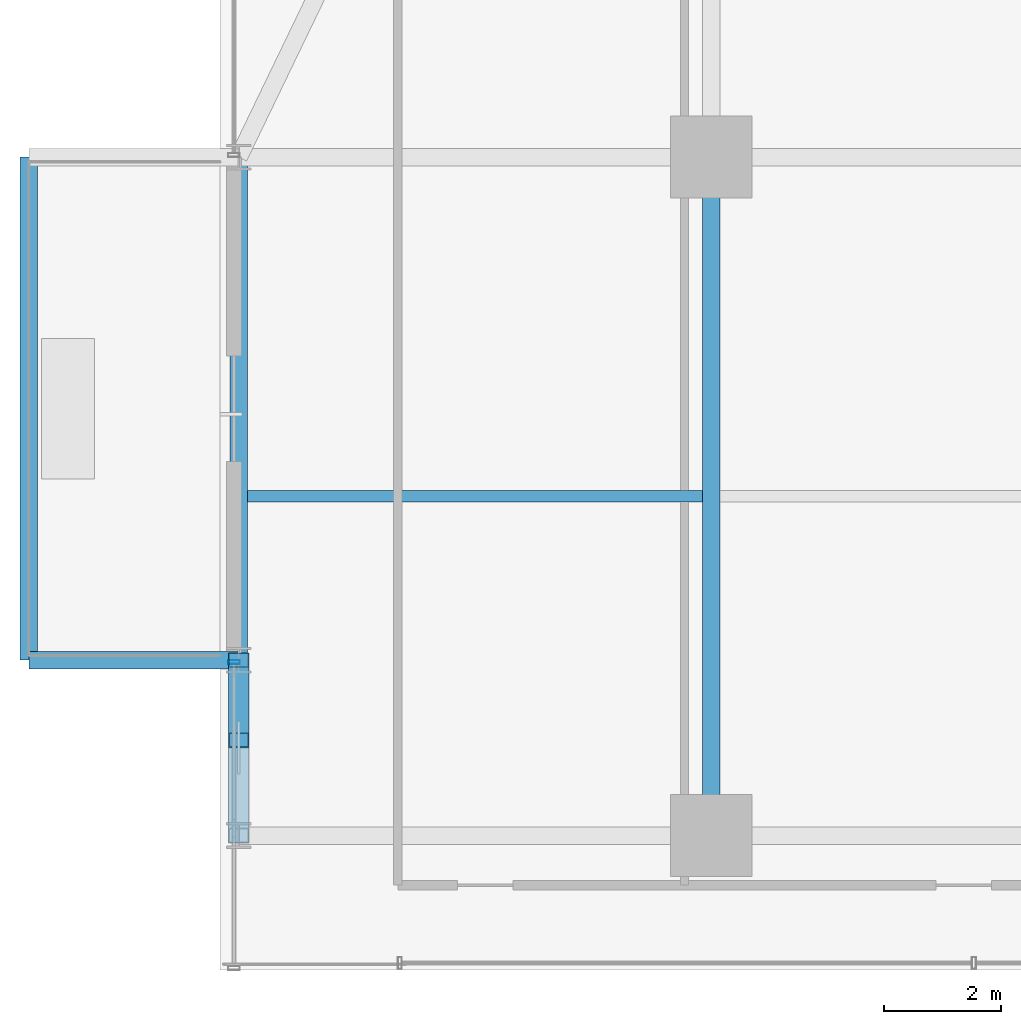
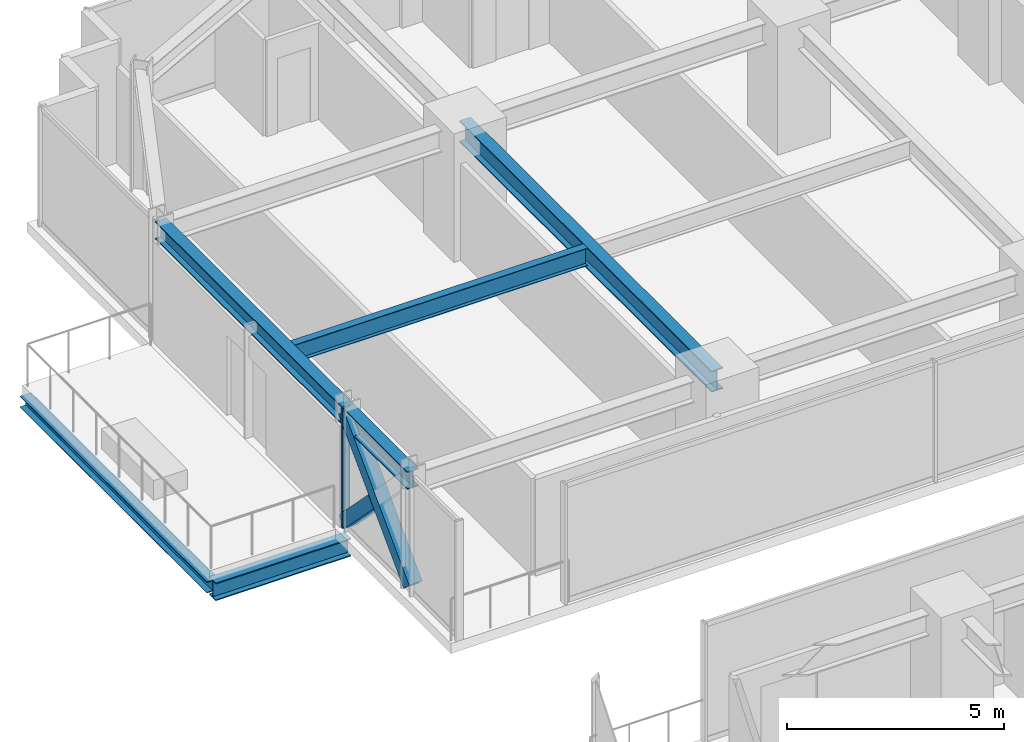
# One storey, part 24 of 42: 6 beams, 3 members, 1 element without a shape of its own.
"""IFC4 building model written with IfcOpenShell, lengths in metres."""

from ifc_helpers import new_model, si_unit, direction, frame, origin, origin_2d, place, context, subcontext, project, spatial, hollow_rectangle, i_section, extrude, source, transform, mapped, material, material_profile, profile_set, type_object, element, aggregate, save


model = new_model("IFC4")

# Units and contexts
model_context = context("Model", 3, precision=1e-05, world=origin(), true_north=direction((0.0, 1.0)))
body_context = subcontext(model_context, "Body", "Model", "MODEL_VIEW")
ifc_project = project(units=[si_unit("LENGTHUNIT", "METRE"), si_unit("AREAUNIT", "SQUARE_METRE"), si_unit("VOLUMEUNIT", "CUBIC_METRE"), si_unit("PLANEANGLEUNIT", "RADIAN"), si_unit("MASSUNIT", "GRAM", prefix="KILO")], contexts=[model_context])

# Site, building, storey
site_placement = place(None, origin())
site = spatial("IfcSite", under=ifc_project, at=site_placement, CompositionType="ELEMENT")
building_placement = place(site_placement, origin())
building = spatial("IfcBuilding", under=site, at=building_placement, Name="Nahalor Promenade Grand Hotel", CompositionType="ELEMENT")
storey_placement = place(building_placement, frame((0.0, 0.0, 61.60009765625)))
storey = spatial("IfcBuildingStorey", under=building, at=storey_placement, Name="L14", CompositionType="ELEMENT", Elevation=61.60009765625)

# Beams
ifc_material_1 = material(Name="Steel S355JR", Category="steel")
ifc_material_profile_1 = material_profile(ifc_material_1, i_section(OverallWidth=0.3, OverallDepth=0.32, WebThickness=0.0115, FlangeThickness=0.0205, at=origin_2d()), Name="HEB 320")
ifc_profile_set_1 = profile_set([ifc_material_profile_1], Name="Steel S355JR")
beam_type_1 = type_object("IfcBeamType", Name="Beam-BalcEdge-HEB320", PredefinedType="SPANDREL", material=ifc_profile_set_1)
shared_shape_1 = source(origin(), body_context, "Body", "SweptSolid", [
    extrude(i_section(OverallWidth=0.3, OverallDepth=0.32, WebThickness=0.0115, FlangeThickness=0.0205, at=origin_2d()), origin(), (0.0, 0.0, 1.0), 8.60009765625),
])
beam_1_placement = place(storey_placement, frame((-28.669921875, 8.39990234375, -0.440185546875), z_axis=(0.0, 1.0, 0.0), x_axis=(-1.0, 0.0, 0.0)))
element("IfcBeam", 1, at=beam_1_placement, inside=storey, type_object=beam_type_1, Name="BM-L14-BC-02-F", PredefinedType="SPANDREL", context=body_context, shape_type="MappedRepresentation", body=[
    mapped(shared_shape_1, transform((0.0, 0.0, 0.0), scale=1.0)),
])
ifc_material_profile_2 = material_profile(ifc_material_1, i_section(OverallWidth=0.3, OverallDepth=0.5, WebThickness=0.0145, FlangeThickness=0.028, at=origin_2d()), Name="HEB 500")
ifc_profile_set_2 = profile_set([ifc_material_profile_2], Name="Steel S355JR")
beam_type_2 = type_object("IfcBeamType", Name="Beam-Outrigger-HEB500", PredefinedType="BEAM", material=ifc_profile_set_2)
shared_shape_2 = source(origin(), body_context, "Body", "SweptSolid", [
    extrude(i_section(OverallWidth=0.3, OverallDepth=0.5, WebThickness=0.0145, FlangeThickness=0.028, at=origin_2d()), origin(), (0.0, 0.0, 1.0), 3.58984375),
])
beam_2_placement = place(storey_placement, frame((-28.669921875, 8.39990234375, -0.530029296875), z_axis=(1.0, 0.0, 0.0), x_axis=(0.0, 1.0, 0.0)))
element("IfcBeam", 2, at=beam_2_placement, inside=storey, type_object=beam_type_2, Name="BM-L14-BC-02-1", PredefinedType="BEAM", context=body_context, shape_type="MappedRepresentation", body=[
    mapped(shared_shape_2, transform((0.0, 0.0, 0.0), scale=1.0)),
])
ifc_material_profile_3 = material_profile(ifc_material_1, i_section(OverallWidth=0.3, OverallDepth=0.6, WebThickness=0.0155, FlangeThickness=0.03, at=origin_2d()), Name="HEB 600")
ifc_profile_set_3 = profile_set([ifc_material_profile_3], Name="Steel S355JR")
beam_type_3 = type_object("IfcBeamType", Name="Beam-Girder-HEB600", PredefinedType="BEAM", material=ifc_profile_set_3)
shared_shape_3 = source(origin(), body_context, "Body", "SweptSolid", [
    extrude(i_section(OverallWidth=0.3, OverallDepth=0.6, WebThickness=0.0155, FlangeThickness=0.03, at=origin_2d()), origin(), (0.0, 0.0, 1.0), 11.60009765625),
])
beam_3_placement = place(storey_placement, frame((-17.0, 5.39990234375, 3.06982421875), z_axis=(0.0, 1.0, 0.0), x_axis=(-1.0, 0.0, 0.0)))
element("IfcBeam", 3, at=beam_3_placement, inside=storey, type_object=beam_type_3, Name="BM-L14-GY-0-3", PredefinedType="BEAM", context=body_context, shape_type="MappedRepresentation", body=[
    mapped(shared_shape_3, transform((0.0, 0.0, 0.0), scale=1.0)),
])
ifc_material_profile_4 = material_profile(ifc_material_1, i_section(OverallWidth=0.3, OverallDepth=0.5, WebThickness=0.0145, FlangeThickness=0.028, at=origin_2d()), Name="HEB 500")
ifc_profile_set_4 = profile_set([ifc_material_profile_4], Name="Steel S355JR")
beam_type_4 = type_object("IfcBeamType", Name="Beam-Spandrel-HEB500", PredefinedType="SPANDREL", material=ifc_profile_set_4)
shared_shape_4 = source(origin(), body_context, "Body", "SweptSolid", [
    extrude(i_section(OverallWidth=0.3, OverallDepth=0.5, WebThickness=0.0145, FlangeThickness=0.028, at=origin_2d()), origin(), (0.0, 0.0, 1.0), 8.60009765625),
])
beam_4_placement = place(storey_placement, frame((-25.080078125, 8.39990234375, 3.119873046875), z_axis=(0.0, 1.0, 0.0), x_axis=(-1.0, 0.0, 0.0)))
element("IfcBeam", 4, at=beam_4_placement, inside=storey, type_object=beam_type_4, Name="BM-L14-SP-W-4", PredefinedType="SPANDREL", context=body_context, shape_type="MappedRepresentation", body=[
    mapped(shared_shape_4, transform((0.0, 0.0, 0.0), scale=1.0)),
])
shared_shape_5 = source(origin(), body_context, "Body", "SweptSolid", [
    extrude(i_section(OverallWidth=0.3, OverallDepth=0.5, WebThickness=0.0145, FlangeThickness=0.028, at=origin_2d()), origin(), (0.0, 0.0, 1.0), 3.0),
])
beam_5_placement = place(storey_placement, frame((-25.080078125, 5.39990234375, 3.119873046875), z_axis=(0.0, 1.0, 0.0), x_axis=(-1.0, 0.0, 0.0)))
element("IfcBeam", 5, at=beam_5_placement, inside=storey, type_object=beam_type_4, Name="BM-L14-SP-W-3", PredefinedType="SPANDREL", context=body_context, shape_type="MappedRepresentation", body=[
    mapped(shared_shape_5, transform((0.0, 0.0, 0.0), scale=1.0)),
])
ifc_material_profile_5 = material_profile(ifc_material_1, i_section(OverallWidth=0.2, OverallDepth=0.5, WebThickness=0.0102, FlangeThickness=0.016, at=origin_2d()), Name="IPE 500")
ifc_profile_set_5 = profile_set([ifc_material_profile_5], Name="Steel S355JR")
beam_type_5 = type_object("IfcBeamType", Name="Beam-Joist-IPE500", PredefinedType="JOIST", material=ifc_profile_set_5)
shared_shape_6 = source(origin(), body_context, "Body", "SweptSolid", [
    extrude(i_section(OverallWidth=0.2, OverallDepth=0.5, WebThickness=0.0102, FlangeThickness=0.016, at=origin_2d()), origin(), (0.0, 0.0, 1.0), 7.780029296875),
])
beam_6_placement = place(storey_placement, frame((-24.929931640625, 11.199951171875, 3.119873046875), z_axis=(1.0, 0.0, 0.0), x_axis=(0.0, 1.0, 0.0)))
element("IfcBeam", 6, at=beam_6_placement, inside=storey, type_object=beam_type_5, Name="BM-L14-JSW-1-0", PredefinedType="JOIST", context=body_context, shape_type="MappedRepresentation", body=[
    mapped(shared_shape_6, transform((0.0, 0.0, 0.0), scale=1.0)),
])

# Members
ifc_material_profile_6 = material_profile(ifc_material_1, hollow_rectangle(XDim=0.35, YDim=0.35, WallThickness=0.02, at=origin_2d()), Name="SHS 350x350x20")
ifc_profile_set_6 = profile_set([ifc_material_profile_6], Name="Steel S355JR")
member_type_1 = type_object("IfcMemberType", Name="Mem-VoidBrace-SHS350", PredefinedType="BRACE", material=ifc_profile_set_6)
shared_shape_7 = source(origin(), body_context, "Body", "SweptSolid", [
    extrude(hollow_rectangle(XDim=0.35, YDim=0.35, WallThickness=0.02, at=origin_2d()), origin(), (0.0, 0.0, 1.0), 4.29248046875),
])
member_1_placement = place(storey_placement, frame((-25.080078125, 5.39990234375, 0.14990234375), z_axis=(0.0, 0.698897904453, 0.715221447631), x_axis=(-1.0, 0.0, 0.0)))
element("IfcMember", 7, at=member_1_placement, inside=storey, type_object=member_type_1, Name="EXO-L14-VX1-W1", PredefinedType="BRACE", context=body_context, shape_type="MappedRepresentation", body=[
    mapped(shared_shape_7, transform((0.0, 0.0, 0.0), scale=1.0)),
])
shared_shape_8 = source(origin(), body_context, "Body", "SweptSolid", [
    extrude(hollow_rectangle(XDim=0.35, YDim=0.35, WallThickness=0.02, at=origin_2d()), origin(), (0.0, 0.0, 1.0), 1.958984375),
])
member_2_placement = place(storey_placement, frame((-25.080078125, 8.39990234375, 0.14990234375), z_axis=(0.0, -0.698896728293, 0.715222596946), x_axis=(1.0, 0.0, 0.0)))
element("IfcMember", 8, at=member_2_placement, inside=storey, type_object=member_type_1, Name="EXO-L14-VX2-W1A", PredefinedType="BRACE", context=body_context, shape_type="MappedRepresentation", body=[
    mapped(shared_shape_8, transform((0.0, 0.0, 0.0), scale=1.0)),
])

# Curtain wall, member
ifc_material_2 = material(Name="Anodised Bronze Aluminium EN AW-6063 T6", Category="aluminium")
curtain_wall_type = type_object("IfcCurtainWallType", Name="CW3 Elliptical-Void Collar Unitised Curtain Wall", PredefinedType="USERDEFINED", material=ifc_material_2)
curtain_wall_placement = place(storey_placement, origin())
curtain_wall = element("IfcCurtainWall", 9, at=curtain_wall_placement, inside=storey, type_object=curtain_wall_type, Name="L14 Curtain Wall CW-L14-W-2", ObjectType="UNITISED_CURTAIN_WALL", PredefinedType="USERDEFINED")
ifc_material_profile_7 = material_profile(ifc_material_2, hollow_rectangle(XDim=0.07, YDim=0.2, WallThickness=0.005, at=origin_2d()), Name="CWM 70x200x5")
ifc_profile_set_7 = profile_set([ifc_material_profile_7], Name="Anodised Bronze Aluminium EN AW-6063 T6")
member_type_2 = type_object("IfcMemberType", Name="CWM3 Void Collar Mullion 70x200", PredefinedType="MULLION", material=ifc_profile_set_7)
shared_shape_9 = source(origin(), body_context, "Body", "SweptSolid", [
    extrude(hollow_rectangle(XDim=0.07, YDim=0.2, WallThickness=0.005, at=origin_2d()), origin(), (0.0, 0.0, 1.0), 3.369873046875),
])
member_3_placement = place(storey_placement, frame((-25.159912109375, 8.364990234375, 0.0), z_axis=(0.0, 0.0, 1.0), x_axis=(0.0, 1.0, 0.0)))
member_3 = element("IfcMember", 10, at=member_3_placement, type_object=member_type_2, Name="CW-L14-W-2 Mullion 1", PredefinedType="MULLION", context=body_context, shape_type="MappedRepresentation", body=[
    mapped(shared_shape_9, transform((0.0, 0.0, 0.0), scale=1.0)),
])
aggregate(curtain_wall, [member_3])

save(model, "model.ifc")
